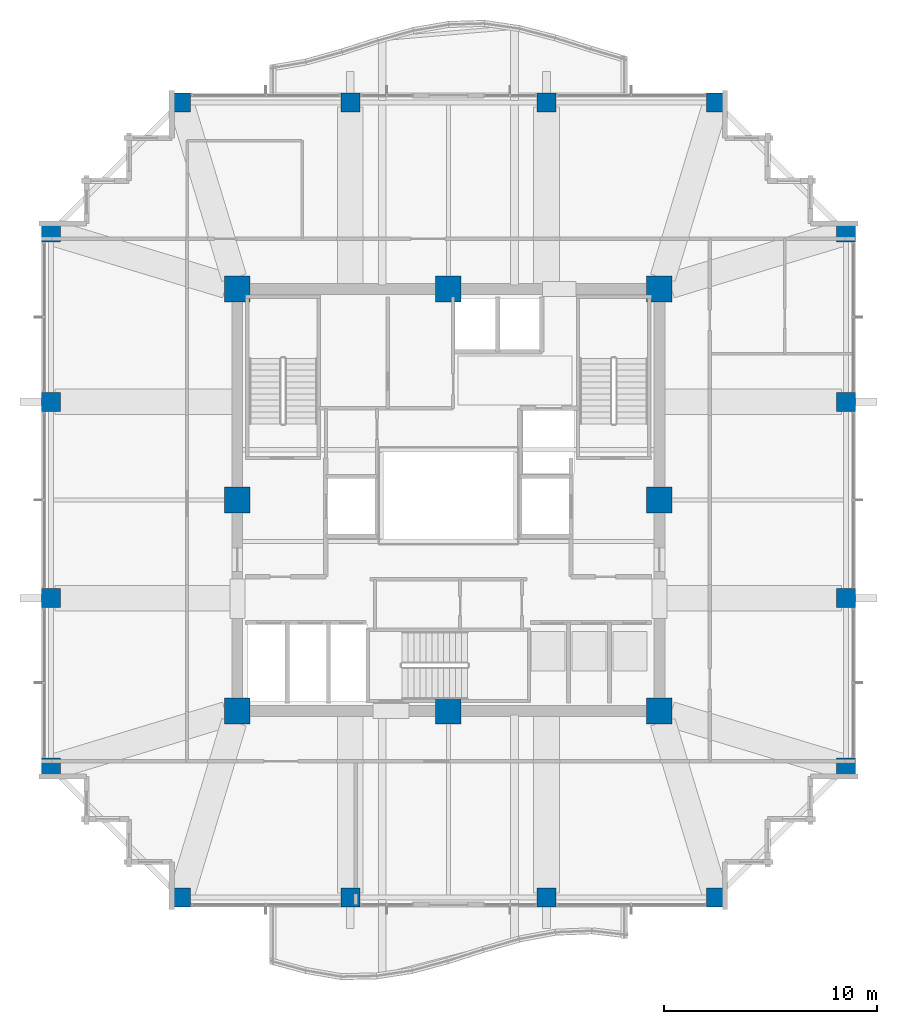
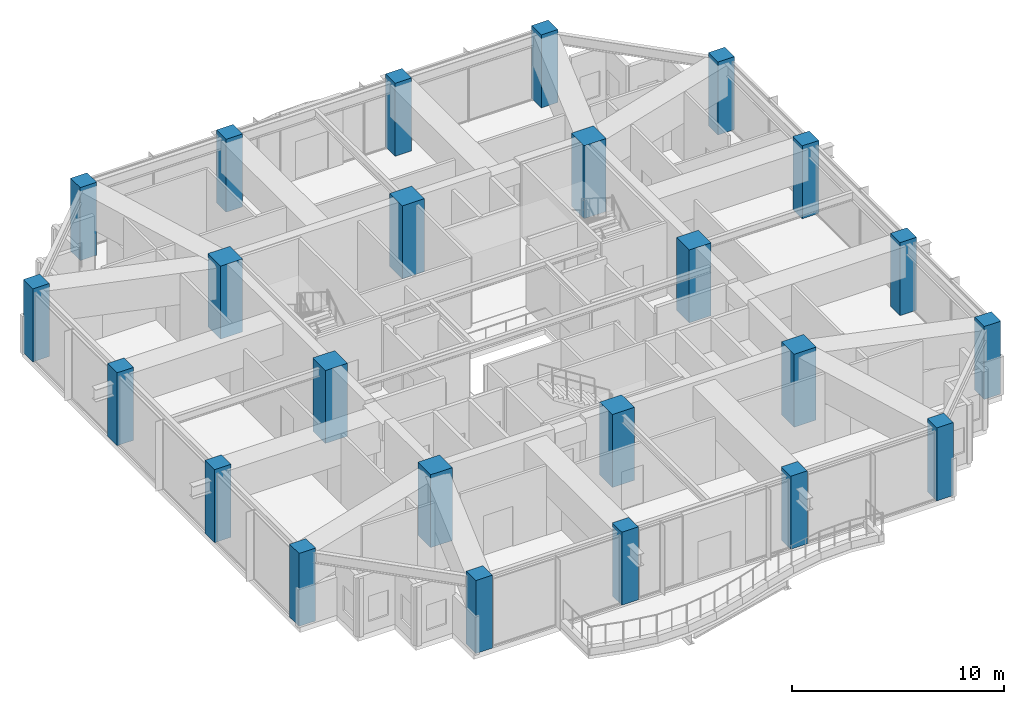
# One storey, part 1 of 33: 24 columns.
"""IFC4 building model written with IfcOpenShell, lengths in metres."""

from ifc_helpers import new_model, si_unit, direction, frame, origin, origin_2d, place, context, subcontext, project, spatial, rectangle, extrude, material, material_profile, profile_set, type_object, element, save


model = new_model("IFC4")

# Units and contexts
model_context = context("Model", 3, precision=1e-05, world=origin(), true_north=direction((0.0, 1.0)))
body_context = subcontext(model_context, "Body", "Model", "MODEL_VIEW")
ifc_project = project(units=[si_unit("LENGTHUNIT", "METRE"), si_unit("AREAUNIT", "SQUARE_METRE"), si_unit("VOLUMEUNIT", "CUBIC_METRE"), si_unit("PLANEANGLEUNIT", "RADIAN"), si_unit("MASSUNIT", "GRAM", prefix="KILO")], contexts=[model_context])

# Site, building, storey
site_placement = place(None, origin())
site = spatial("IfcSite", under=ifc_project, at=site_placement, CompositionType="ELEMENT")
building_placement = place(site_placement, origin())
building = spatial("IfcBuilding", under=site, at=building_placement, Name="Kolvaren Belvedere", CompositionType="ELEMENT")
storey_placement = place(building_placement, frame((0.0, 0.0, 152.699951171875)))
storey = spatial("IfcBuildingStorey", under=building, at=storey_placement, Name="L44", CompositionType="ELEMENT", Elevation=152.699951171875)

# Columns
ifc_material_1 = material(Name="Concrete C60/75", Category="concrete")
ifc_material_profile_1 = material_profile(ifc_material_1, rectangle(XDim=1.199951171875, YDim=1.199951171875, at=origin_2d()), Name="RC 1200X1200")
ifc_profile_set_1 = profile_set([ifc_material_profile_1], Name="Concrete C60/75")
column_type_1 = type_object("IfcColumnType", Name="COL-RC-1200", PredefinedType="COLUMN", material=ifc_profile_set_1)
for number, where, z_axis, x_axis, name in (
    (1, (-9.89990234375, -9.89990234375, 0.0), (0.0, 0.0, 1.0), (1.0, 0.0, 0.0), "L44 Core Column CC1"),
    (2, (9.89990234375, -9.89990234375, 0.0), (0.0, 0.0, 1.0), (1.0, 0.0, 0.0), "L44 Core Column CC2"),
    (3, (9.89990234375, 9.89990234375, 0.0), (0.0, 0.0, 1.0), (1.0, 0.0, 0.0), "L44 Core Column CC3"),
    (4, (-9.89990234375, 9.89990234375, 0.0), (0.0, 0.0, 1.0), (1.0, 0.0, 0.0), "L44 Core Column CC4"),
    (5, (0.0, -9.89990234375, 0.0), (0.0, 0.0, 1.0), (1.0, 0.0, 0.0), "L44 Core Column CM1"),
    (6, (9.89990234375, 0.0, 0.0), (0.0, 0.0, 1.0), (1.0, 0.0, 0.0), "L44 Core Column CM2"),
    (7, (0.0, 9.89990234375, 0.0), (0.0, 0.0, 1.0), (1.0, 0.0, 0.0), "L44 Core Column CM3"),
    (8, (-9.89990234375, 0.0, 0.0), (0.0, 0.0, 1.0), (1.0, 0.0, 0.0), "L44 Core Column CM4"),
):
    element("IfcColumn", number, at=place(storey_placement, frame(where, z_axis=z_axis, x_axis=x_axis)), inside=storey, type_object=column_type_1, Name=name, PredefinedType="COLUMN", context=body_context, shape_type="SweptSolid", body=[
        extrude(rectangle(XDim=1.199951171875, YDim=1.199951171875, at=origin_2d()), origin(), (0.0, 0.0, 1.0), 4.199951171875),
    ])
ifc_material_2 = material(Name="Concrete C50/60", Category="concrete")
ifc_material_profile_2 = material_profile(ifc_material_2, rectangle(XDim=0.89990234375, YDim=0.89990234375, at=origin_2d()), Name="RC 900X900")
ifc_profile_set_2 = profile_set([ifc_material_profile_2], Name="Concrete C50/60")
column_type_2 = type_object("IfcColumnType", Name="COL-RC-900", PredefinedType="COLUMN", material=ifc_profile_set_2)
for number, where, z_axis, x_axis, name in (
    (9, (-12.550048828125, -18.64990234375, 0.0), (0.0, 0.0, 1.0), (1.0, 0.0, 0.0), "L44 Perimeter Column S1"),
    (10, (-4.60009765625, -18.64990234375, 0.0), (0.0, 0.0, 1.0), (1.0, 0.0, 0.0), "L44 Perimeter Column S2"),
    (11, (4.60009765625, -18.64990234375, 0.0), (0.0, 0.0, 1.0), (1.0, 0.0, 0.0), "L44 Perimeter Column S3"),
    (12, (12.550048828125, -18.64990234375, 0.0), (0.0, 0.0, 1.0), (1.0, 0.0, 0.0), "L44 Perimeter Column S4"),
    (13, (-12.550048828125, 18.64990234375, 0.0), (0.0, 0.0, 1.0), (1.0, 0.0, 0.0), "L44 Perimeter Column N1"),
    (14, (-4.60009765625, 18.64990234375, 0.0), (0.0, 0.0, 1.0), (1.0, 0.0, 0.0), "L44 Perimeter Column N2"),
    (15, (4.60009765625, 18.64990234375, 0.0), (0.0, 0.0, 1.0), (1.0, 0.0, 0.0), "L44 Perimeter Column N3"),
    (16, (12.550048828125, 18.64990234375, 0.0), (0.0, 0.0, 1.0), (1.0, 0.0, 0.0), "L44 Perimeter Column N4"),
    (17, (-18.64990234375, -12.550048828125, 0.0), (0.0, 0.0, 1.0), (1.0, 0.0, 0.0), "L44 Perimeter Column W1"),
    (18, (-18.64990234375, -4.60009765625, 0.0), (0.0, 0.0, 1.0), (1.0, 0.0, 0.0), "L44 Perimeter Column W2"),
    (19, (-18.64990234375, 4.60009765625, 0.0), (0.0, 0.0, 1.0), (1.0, 0.0, 0.0), "L44 Perimeter Column W3"),
    (20, (-18.64990234375, 12.550048828125, 0.0), (0.0, 0.0, 1.0), (1.0, 0.0, 0.0), "L44 Perimeter Column W4"),
    (21, (18.64990234375, -12.550048828125, 0.0), (0.0, 0.0, 1.0), (1.0, 0.0, 0.0), "L44 Perimeter Column E1"),
    (22, (18.64990234375, -4.60009765625, 0.0), (0.0, 0.0, 1.0), (1.0, 0.0, 0.0), "L44 Perimeter Column E2"),
    (23, (18.64990234375, 4.60009765625, 0.0), (0.0, 0.0, 1.0), (1.0, 0.0, 0.0), "L44 Perimeter Column E3"),
    (24, (18.64990234375, 12.550048828125, 0.0), (0.0, 0.0, 1.0), (1.0, 0.0, 0.0), "L44 Perimeter Column E4"),
):
    element("IfcColumn", number, at=place(storey_placement, frame(where, z_axis=z_axis, x_axis=x_axis)), inside=storey, type_object=column_type_2, Name=name, PredefinedType="COLUMN", context=body_context, shape_type="SweptSolid", body=[
        extrude(rectangle(XDim=0.89990234375, YDim=0.89990234375, at=origin_2d()), origin(), (0.0, 0.0, 1.0), 4.199951171875),
    ])

save(model, "model.ifc")
